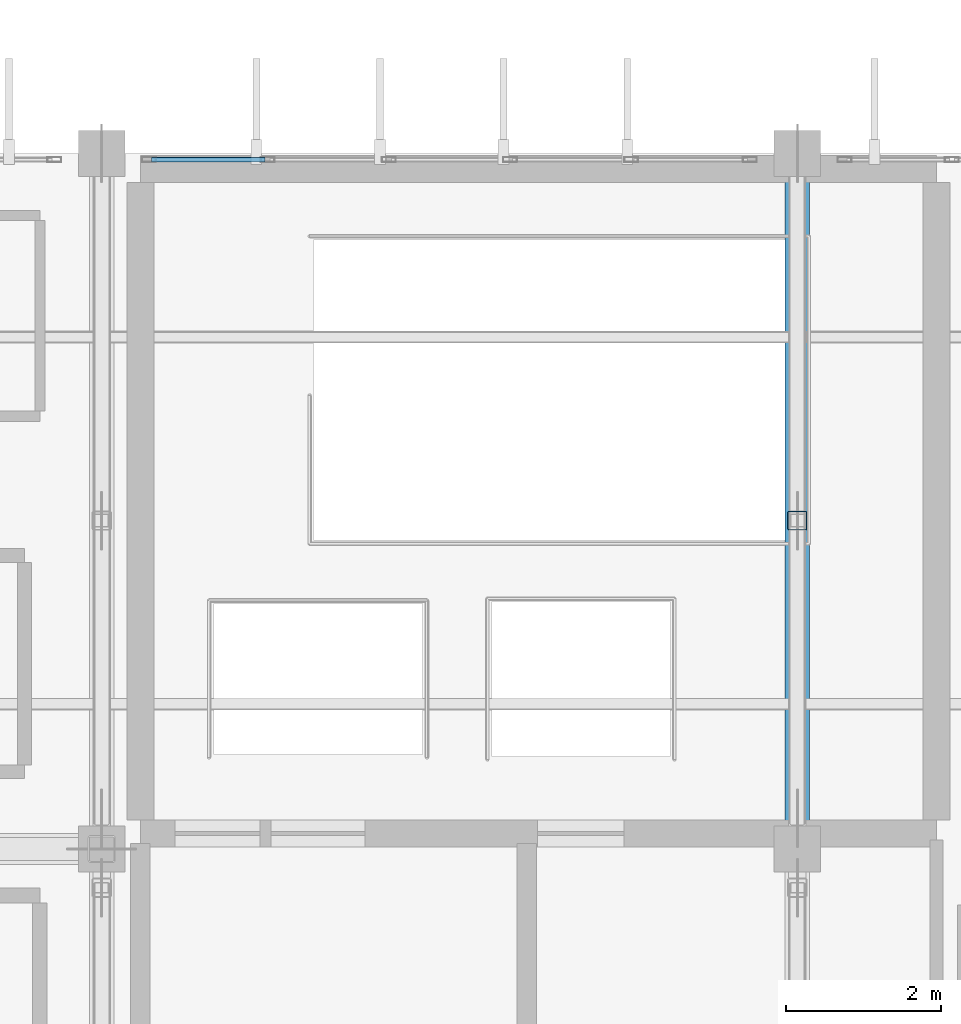
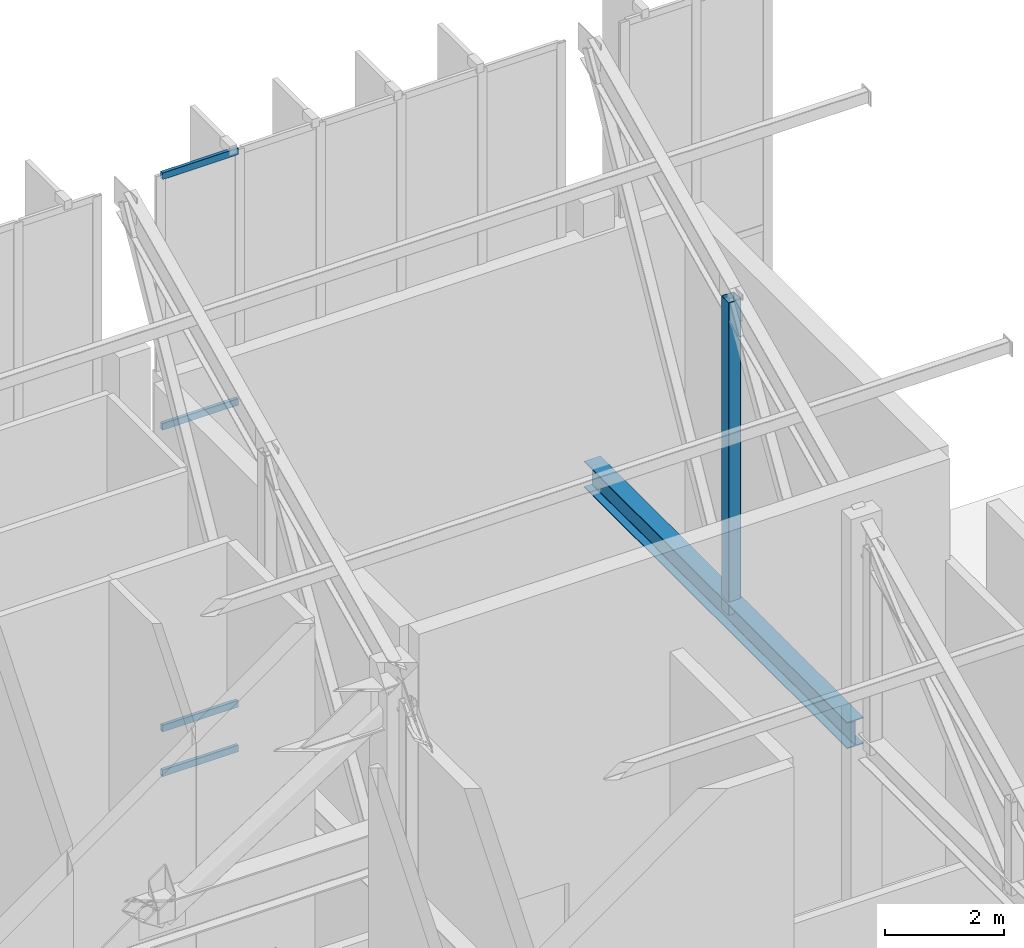
# One storey, part 39 of 68: 5 members, 1 beam, 1 element without a shape of its own.
"""IFC4 building model written with IfcOpenShell, lengths in metres."""

from ifc_helpers import new_model, si_unit, direction, frame, origin, origin_2d, place, context, subcontext, project, spatial, hollow_rectangle, i_section, extrude, material, material_profile, profile_set, type_object, element, aggregate, save


model = new_model("IFC4")

# Units and contexts
model_context = context("Model", 3, precision=1e-05, world=origin(), true_north=direction((0.0, 1.0)))
body_context = subcontext(model_context, "Body", "Model", "MODEL_VIEW")
ifc_project = project(units=[si_unit("LENGTHUNIT", "METRE"), si_unit("AREAUNIT", "SQUARE_METRE"), si_unit("VOLUMEUNIT", "CUBIC_METRE"), si_unit("PLANEANGLEUNIT", "RADIAN"), si_unit("MASSUNIT", "GRAM", prefix="KILO")], contexts=[model_context])

# Site, building, storey
site_placement = place(None, origin())
site = spatial("IfcSite", under=ifc_project, at=site_placement, CompositionType="ELEMENT")
building_placement = place(site_placement, origin())
building = spatial("IfcBuilding", under=site, at=building_placement, Name="Miravela Opera House", CompositionType="ELEMENT")
storey_placement = place(building_placement, frame((0.0, 0.0, 21.760009765625)))
storey = spatial("IfcBuildingStorey", under=building, at=storey_placement, Name="L05", CompositionType="ELEMENT", Elevation=21.760009765625)

# Curtain wall, members
ifc_material_1 = material(Name="Anodised architectural bronze aluminium 6063-T6", Category="aluminium")
curtain_wall_type = type_object("IfcCurtainWallType", Name="ARC-CW-03", PredefinedType="NOTDEFINED", material=ifc_material_1)
curtain_wall_placement = place(storey_placement, origin())
curtain_wall = element("IfcCurtainWall", 1, at=curtain_wall_placement, inside=storey, type_object=curtain_wall_type, Name="Auditorium North Wrapper Glazing CW-L05-063", PredefinedType="NOTDEFINED")
ifc_material_profile_1 = material_profile(ifc_material_1, hollow_rectangle(XDim=0.06494140625, YDim=0.139892578125, WallThickness=0.00390625, InnerFilletRadius=0.001953125, OuterFilletRadius=0.00390625, at=origin_2d()), Name="CWT-65X140")
ifc_profile_set_1 = profile_set([ifc_material_profile_1])
member_type_1 = type_object("IfcMemberType", Name="ARC-CWT-140", PredefinedType="USERDEFINED", material=ifc_profile_set_1)
member_1_placement = place(storey_placement, frame((45.64501953125, 74.919921875, 0.032470703125), z_axis=(1.0, 0.0, 0.0), x_axis=(0.0, 1.0, 0.0)))
member_1 = element("IfcMember", 2, at=member_1_placement, type_object=member_type_1, Name="CW-03 transom 1.1", ObjectType="TRANSOM", PredefinedType="USERDEFINED", context=body_context, shape_type="SweptSolid", body=[
    extrude(hollow_rectangle(XDim=0.06494140625, YDim=0.139892578125, WallThickness=0.00390625, InnerFilletRadius=0.001953125, OuterFilletRadius=0.00390625, at=origin_2d()), origin(), (0.0, 0.0, 1.0), 1.470458984375),
])
member_2_placement = place(storey_placement, frame((45.64501953125, 74.919921875, 0.949951171875), z_axis=(1.0, 0.0, 0.0), x_axis=(0.0, 1.0, 0.0)))
member_2 = element("IfcMember", 3, at=member_2_placement, type_object=member_type_1, Name="CW-03 transom 1.2", ObjectType="TRANSOM", PredefinedType="USERDEFINED", context=body_context, shape_type="SweptSolid", body=[
    extrude(hollow_rectangle(XDim=0.06494140625, YDim=0.139892578125, WallThickness=0.00390625, InnerFilletRadius=0.001953125, OuterFilletRadius=0.00390625, at=origin_2d()), origin(), (0.0, 0.0, 1.0), 1.470458984375),
])
member_3_placement = place(storey_placement, frame((45.64501953125, 74.919921875, 7.139892578125), z_axis=(1.0, 0.0, 0.0), x_axis=(0.0, 1.0, 0.0)))
member_3 = element("IfcMember", 4, at=member_3_placement, type_object=member_type_1, Name="CW-03 transom 1.3", ObjectType="TRANSOM", PredefinedType="USERDEFINED", context=body_context, shape_type="SweptSolid", body=[
    extrude(hollow_rectangle(XDim=0.06494140625, YDim=0.139892578125, WallThickness=0.00390625, InnerFilletRadius=0.001953125, OuterFilletRadius=0.00390625, at=origin_2d()), origin(), (0.0, 0.0, 1.0), 1.470458984375),
])
member_4_placement = place(storey_placement, frame((45.64501953125, 74.919921875, 12.277587890625), z_axis=(1.0, 0.0, 0.0), x_axis=(0.0, 1.0, 0.0)))
member_4 = element("IfcMember", 5, at=member_4_placement, type_object=member_type_1, Name="CW-03 transom 1.4", ObjectType="TRANSOM", PredefinedType="USERDEFINED", context=body_context, shape_type="SweptSolid", body=[
    extrude(hollow_rectangle(XDim=0.06494140625, YDim=0.139892578125, WallThickness=0.00390625, InnerFilletRadius=0.001953125, OuterFilletRadius=0.00390625, at=origin_2d()), origin(), (0.0, 0.0, 1.0), 1.470458984375),
])
aggregate(curtain_wall, [member_1, member_2, member_3, member_4])

# Beam
ifc_material_2 = material(Name="Structural steel ASTM A992 Gr. 50", Category="steel")
ifc_material_profile_2 = material_profile(ifc_material_2, i_section(OverallWidth=0.31201171875, OverallDepth=0.54296875, WebThickness=0.0126953125, FlangeThickness=0.020263671875, FilletRadius=0.01611328125, at=origin_2d()), Name="W530X150")
ifc_profile_set_2 = profile_set([ifc_material_profile_2])
beam_type = type_object("IfcBeamType", Name="STR-BM-W530X150", PredefinedType="BEAM", material=ifc_profile_set_2)
beam_placement = place(storey_placement, frame((54.0, 66.080078125, 3.280029296875), z_axis=(0.0, 1.0, 0.0), x_axis=(-1.0, 0.0, 0.0)))
element("IfcBeam", 6, at=beam_placement, inside=storey, type_object=beam_type, Name="V-Crest Roof Truss Bottom Tie Chord X=54 Seg 4", PredefinedType="BEAM", context=body_context, shape_type="SweptSolid", body=[
    extrude(i_section(OverallWidth=0.31201171875, OverallDepth=0.54296875, WebThickness=0.0126953125, FlangeThickness=0.020263671875, FilletRadius=0.01611328125, at=origin_2d()), origin(), (0.0, 0.0, 1.0), 8.83984375),
])

# Member
ifc_material_3 = material(Name="Hollow structural steel ASTM A500 Gr. C", Category="steel")
ifc_material_profile_3 = material_profile(ifc_material_3, hollow_rectangle(XDim=0.25, YDim=0.25, WallThickness=0.011962890625, InnerFilletRadius=0.011962890625, OuterFilletRadius=0.02392578125, at=origin_2d()), Name="HSS250X250X12")
ifc_profile_set_3 = profile_set([ifc_material_profile_3])
member_type_2 = type_object("IfcMemberType", Name="STR-MEM-CANT-POST2", PredefinedType="POST", material=ifc_profile_set_3)
member_5_placement = place(storey_placement, frame((54.0, 70.25, 3.280029296875), z_axis=(0.0, 0.0, 1.0), x_axis=(1.0, 0.0, 0.0)))
element("IfcMember", 7, at=member_5_placement, inside=storey, type_object=member_type_2, Name="V-Crest Roof Truss Panel Post X=54 Node 7", PredefinedType="POST", context=body_context, shape_type="SweptSolid", body=[
    extrude(hollow_rectangle(XDim=0.25, YDim=0.25, WallThickness=0.011962890625, InnerFilletRadius=0.011962890625, OuterFilletRadius=0.02392578125, at=origin_2d()), origin(), (0.0, 0.0, 1.0), 6.409912109375),
])

save(model, "model.ifc")
